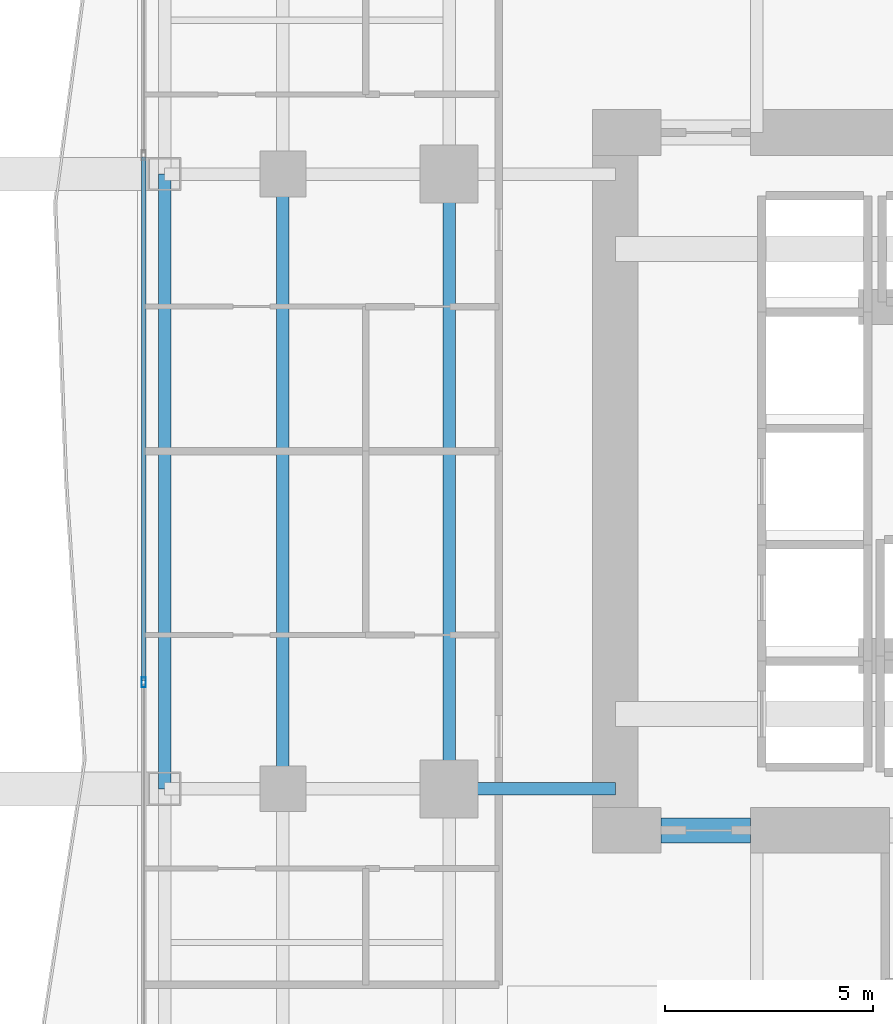
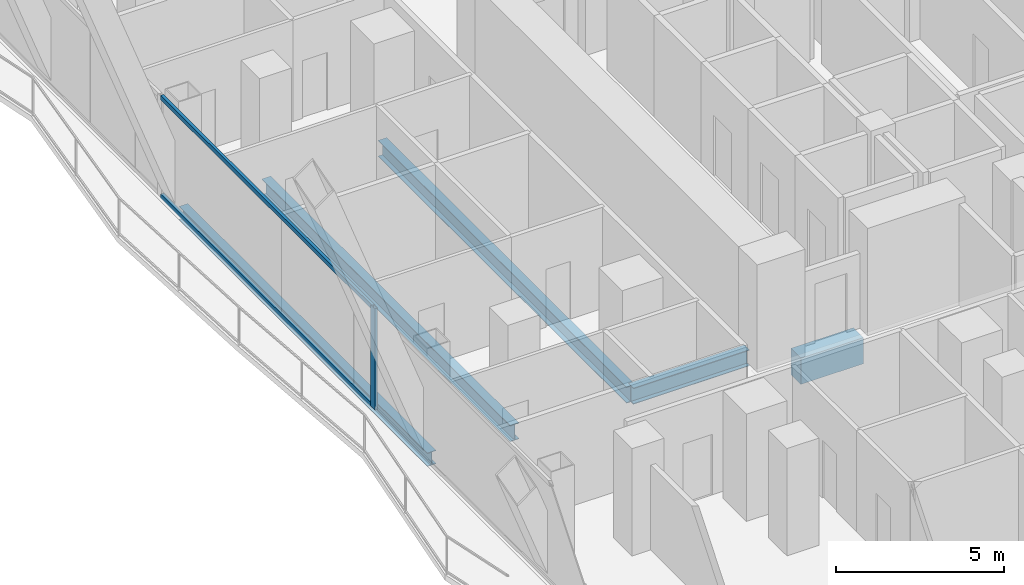
# One storey, part 7 of 33: 5 beams, 3 members, 1 element without a shape of its own.
"""IFC4 building model written with IfcOpenShell, lengths in metres."""

from ifc_helpers import new_model, si_unit, direction, frame, origin, origin_2d, place, context, subcontext, project, spatial, rectangle, hollow_rectangle, i_section, extrude, material, layer, layer_set, material_profile, profile_set, type_object, element, aggregate, save


model = new_model("IFC4")

# Units and contexts
model_context = context("Model", 3, precision=1e-05, world=origin(), true_north=direction((0.0, 1.0)))
body_context = subcontext(model_context, "Body", "Model", "MODEL_VIEW")
ifc_project = project(units=[si_unit("LENGTHUNIT", "METRE"), si_unit("AREAUNIT", "SQUARE_METRE"), si_unit("VOLUMEUNIT", "CUBIC_METRE"), si_unit("PLANEANGLEUNIT", "RADIAN"), si_unit("MASSUNIT", "GRAM", prefix="KILO")], contexts=[model_context])

# Site, building, storey
site_placement = place(None, origin())
site = spatial("IfcSite", under=ifc_project, at=site_placement, CompositionType="ELEMENT")
building_placement = place(site_placement, origin())
building = spatial("IfcBuilding", under=site, at=building_placement, Name="Khorvyn Point Tower", CompositionType="ELEMENT")
storey_placement = place(building_placement, frame((0.0, 0.0, 38.39990234375)))
storey = spatial("IfcBuildingStorey", under=building, at=storey_placement, Name="L10", CompositionType="ELEMENT", Elevation=38.39990234375)

# Curtain wall, members
ifc_material_1 = material(Name="Anodised aluminium 6063-T6 and laminated Low-E glass", Category="aluminium")
ifc_layer = layer(ifc_material_1, 0.18994140625)
ifc_layer_set = layer_set([ifc_layer], Name="Stick-Built Finned Residential Curtain Wall CW-SYS-02")
curtain_wall_type = type_object("IfcCurtainWallType", Name="Stick-Built Finned Residential Curtain Wall CW-SYS-02", PredefinedType="NOTDEFINED", material=ifc_layer_set)
curtain_wall_placement = place(storey_placement, origin())
curtain_wall = element("IfcCurtainWall", 1, at=curtain_wall_placement, inside=storey, type_object=curtain_wall_type, Name="Curtain Wall", PredefinedType="NOTDEFINED")
ifc_material_2 = material(Name="Anodised aluminium 6063-T6", Category="aluminium")
ifc_material_profile_1 = material_profile(ifc_material_2, hollow_rectangle(XDim=0.10009765625, YDim=0.239990234375, WallThickness=0.0048828125, at=origin_2d()))
ifc_profile_set_1 = profile_set([ifc_material_profile_1], Name="Anodised aluminium 6063-T6 ALU-MUL-100x240")
member_type_1 = type_object("IfcMemberType", Name="Anodised Aluminium 6063-T6 Mullion ALU-MUL-100x240", PredefinedType="MULLION", material=ifc_profile_set_1)
member_1_placement = place(storey_placement, frame((-22.14990234375, -4.836669921875, 0.0), z_axis=(0.0, 0.0, 1.0), x_axis=(-1.0, 0.0, 0.0)))
member_1 = element("IfcMember", 2, at=member_1_placement, type_object=member_type_1, Name="Transom", PredefinedType="MULLION", context=body_context, shape_type="SweptSolid", body=[
    extrude(hollow_rectangle(XDim=0.10009765625, YDim=0.239990234375, WallThickness=0.0048828125, at=origin_2d()), origin(), (0.0, 0.0, 1.0), 3.68017578125),
])
ifc_material_profile_2 = material_profile(ifc_material_2, hollow_rectangle(XDim=0.10009765625, YDim=0.159912109375, WallThickness=0.00439453125, at=origin_2d()))
ifc_profile_set_2 = profile_set([ifc_material_profile_2], Name="Anodised aluminium 6063-T6 ALU-TRN-100x160")
member_type_2 = type_object("IfcMemberType", Name="Anodised Aluminium 6063-T6 Transom ALU-TRN-100x160", PredefinedType="USERDEFINED", material=ifc_profile_set_2)
member_2_placement = place(storey_placement, frame((-22.14990234375, -4.78662109375, 0.050048828125), z_axis=(0.0, 1.0, 0.0), x_axis=(-1.0, 0.0, 0.0)))
member_2 = element("IfcMember", 3, at=member_2_placement, type_object=member_type_2, Name="Transom", ObjectType="TRANSOM", PredefinedType="USERDEFINED", context=body_context, shape_type="SweptSolid", body=[
    extrude(hollow_rectangle(XDim=0.10009765625, YDim=0.159912109375, WallThickness=0.00439453125, at=origin_2d()), origin(), (0.0, 0.0, 1.0), 12.59326171875),
])
member_3_placement = place(storey_placement, frame((-22.14990234375, -4.78662109375, 3.630126953125), z_axis=(0.0, 1.0, 0.0), x_axis=(-1.0, 0.0, 0.0)))
member_3 = element("IfcMember", 4, at=member_3_placement, type_object=member_type_2, Name="Transom", ObjectType="TRANSOM", PredefinedType="USERDEFINED", context=body_context, shape_type="SweptSolid", body=[
    extrude(hollow_rectangle(XDim=0.10009765625, YDim=0.159912109375, WallThickness=0.00439453125, at=origin_2d()), origin(), (0.0, 0.0, 1.0), 12.59326171875),
])
aggregate(curtain_wall, [member_1, member_2, member_3])

# Beams
ifc_material_3 = material(Name="Concrete C50/60", Category="concrete")
ifc_material_profile_3 = material_profile(ifc_material_3, rectangle(XDim=0.60009765625, YDim=0.949951171875, at=origin_2d()))
ifc_profile_set_3 = profile_set([ifc_material_profile_3], Name="Concrete C50/60 RC600x950")
beam_type_1 = type_object("IfcBeamType", Name="Concrete C50/60 Beam RC600x950", PredefinedType="BEAM", material=ifc_profile_set_3)
beam_1_placement = place(storey_placement, frame((-9.699951171875, -8.39990234375, -0.69482421875), z_axis=(1.0, 0.0, 0.0), x_axis=(0.0, 1.0, 0.0)))
element("IfcBeam", 5, at=beam_1_placement, inside=storey, type_object=beam_type_1, Name="L10 Core Southwest Portal Coupling Beam", PredefinedType="BEAM", context=body_context, shape_type="SweptSolid", body=[
    extrude(rectangle(XDim=0.60009765625, YDim=0.949951171875, at=origin_2d()), origin(), (0.0, 0.0, 1.0), 2.14990234375),
])
ifc_material_4 = material(Name="Steel S355", Category="steel")
ifc_material_profile_4 = material_profile(ifc_material_4, i_section(OverallWidth=0.300048828125, OverallDepth=0.587890625, WebThickness=0.011962890625, FlangeThickness=0.02001953125, at=origin_2d()))
ifc_profile_set_4 = profile_set([ifc_material_profile_4], Name="Steel S355 H588x300x12x20")
beam_type_2 = type_object("IfcBeamType", Name="Steel S355 Beam H588x300x12x20", PredefinedType="BEAM", material=ifc_profile_set_4)
beam_2_placement = place(storey_placement, frame((-14.800048828125, -7.39990234375, -0.513916015625), z_axis=(1.0, 0.0, 0.0), x_axis=(0.0, 1.0, 0.0)))
element("IfcBeam", 6, at=beam_2_placement, inside=storey, type_object=beam_type_2, Name="Beam", PredefinedType="BEAM", context=body_context, shape_type="SweptSolid", body=[
    extrude(i_section(OverallWidth=0.300048828125, OverallDepth=0.587890625, WebThickness=0.011962890625, FlangeThickness=0.02001953125, at=origin_2d()), origin(), (0.0, 0.0, 1.0), 4.0),
])
for number, where, z_axis, x_axis, name in (
    (7, (-14.800048828125, -7.39990234375, -0.513916015625), (0.0, 1.0, 0.0), (-1.0, 0.0, 0.0), "Beam"),
    (8, (-18.800048828125, -7.39990234375, -0.513916015625), (0.0, 1.0, 0.0), (-1.0, 0.0, 0.0), "Beam"),
):
    element("IfcBeam", number, at=place(storey_placement, frame(where, z_axis=z_axis, x_axis=x_axis)), inside=storey, type_object=beam_type_2, Name=name, PredefinedType="BEAM", context=body_context, shape_type="SweptSolid", body=[
        extrude(i_section(OverallWidth=0.300048828125, OverallDepth=0.587890625, WebThickness=0.011962890625, FlangeThickness=0.02001953125, at=origin_2d()), origin(), (0.0, 0.0, 1.0), 14.7998046875),
    ])
ifc_material_profile_5 = material_profile(ifc_material_4, i_section(OverallWidth=0.300048828125, OverallDepth=0.488037109375, WebThickness=0.010986328125, FlangeThickness=0.01806640625, at=origin_2d()))
ifc_profile_set_5 = profile_set([ifc_material_profile_5], Name="Steel S355 H488x300x11x18")
beam_type_3 = type_object("IfcBeamType", Name="Steel S355 Spandrel H488x300x11x18", PredefinedType="SPANDREL", material=ifc_profile_set_5)
beam_3_placement = place(storey_placement, frame((-21.64990234375, -7.39990234375, -0.4638671875), z_axis=(0.0, 1.0, 0.0), x_axis=(-1.0, 0.0, 0.0)))
element("IfcBeam", 9, at=beam_3_placement, inside=storey, type_object=beam_type_3, Name="Beam", PredefinedType="SPANDREL", context=body_context, shape_type="SweptSolid", body=[
    extrude(i_section(OverallWidth=0.300048828125, OverallDepth=0.488037109375, WebThickness=0.010986328125, FlangeThickness=0.01806640625, at=origin_2d()), origin(), (0.0, 0.0, 1.0), 14.7998046875),
])

save(model, "model.ifc")
